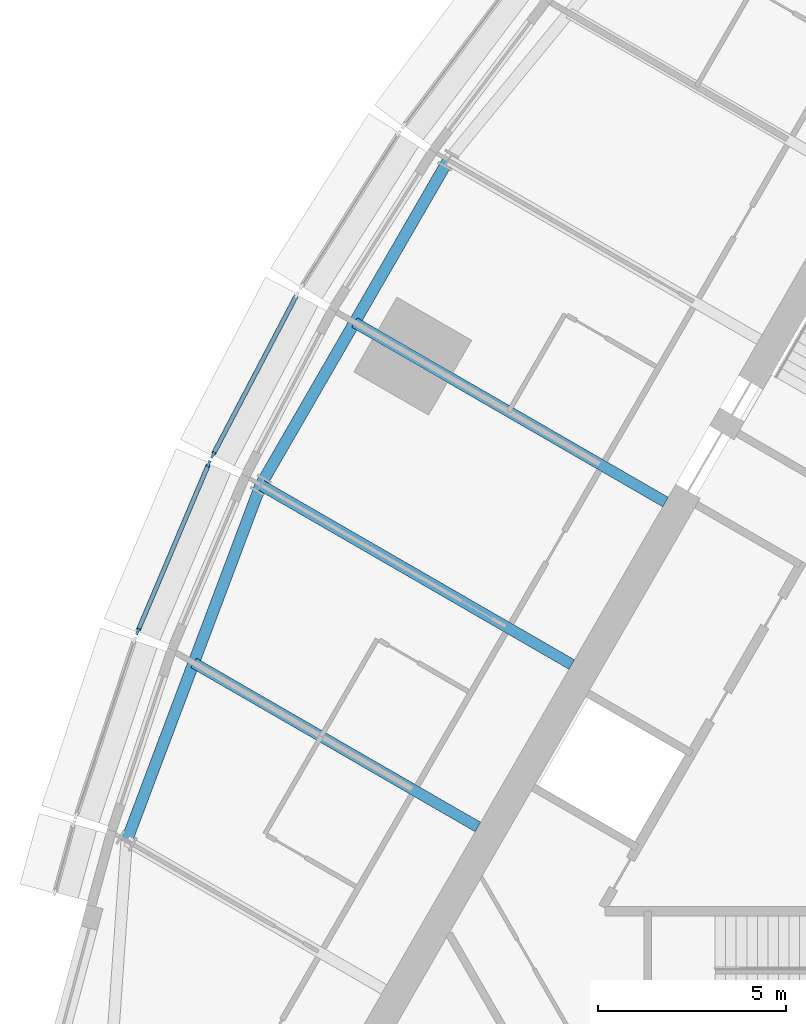
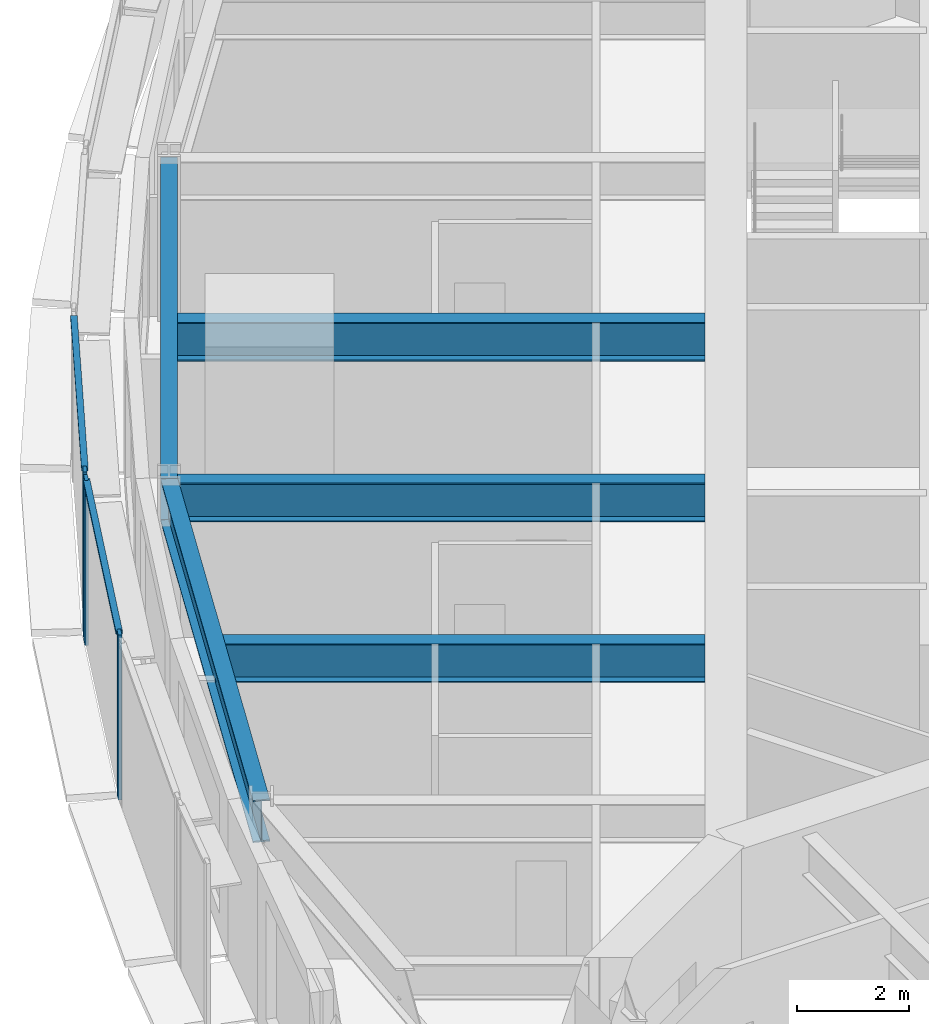
# One storey, part 3 of 15: 5 beams, 5 members, 2 elements without a shape of their own.
"""IFC4 building model written with IfcOpenShell, lengths in metres."""

import ifcopenshell
import ifcopenshell.guid

model = None  # the IFC model being written
_history = None  # IfcOwnerHistory: only IFC2X3 demands one
_inside = {}  # id of a spatial element -> (the spatial element, [elements in it])
_under = {}  # id of a project, library or spatial element -> (it, [spatial elements below it])
_declared = {}  # id of a project -> (the project, [libraries it declares])
_typed = {}  # id of a type object -> (the type object, [elements of that type])
_made_of = {}  # id of a material, layer set ... -> (it, [elements and type objects made of it])


def new_model(schema):
    """Start an empty IFC model of exactly this schema.

    Asked for "IFC4X3", IfcOpenShell would pick the latest addendum, in which some entities
    have other attributes; the version numbers below select the first issue.
    IFC2X3 requires an IfcOwnerHistory on every rooted entity: one is made here for all.
    """
    global model, _history
    if schema == "IFC4X3":
        model = ifcopenshell.file(schema_version=(4, 3, 0, 0))
    else:
        model = ifcopenshell.file(schema=schema)
    _inside.clear()
    _under.clear()
    _declared.clear()
    _typed.clear()
    _made_of.clear()
    _history = None
    if model.schema == "IFC2X3":
        org = make("IfcOrganization", Name="unknown")
        user = make(
            "IfcPersonAndOrganization",
            ThePerson=make("IfcPerson", FamilyName="unknown"),
            TheOrganization=org,
        )
        app = make(
            "IfcApplication",
            ApplicationDeveloper=org,
            Version="unknown",
            ApplicationFullName="unknown",
            ApplicationIdentifier="unknown",
        )
        _history = make(
            "IfcOwnerHistory",
            OwningUser=user,
            OwningApplication=app,
            ChangeAction="ADDED",
            CreationDate=0,
        )
    return model


def make(cls, **values):
    """One entity of the class cls with the attributes given. An attribute that is None is left unset."""
    return model.create_entity(
        cls, **{name: value for name, value in values.items() if value is not None}
    )


def rooted(cls, **values):
    """An entity with a GlobalId (a new one), such as an element, a storey or a relation."""
    return make(cls, GlobalId=ifcopenshell.guid.new(), OwnerHistory=_history, **values)


def si_unit(unit_type, name, prefix=None):
    """IfcSIUnit, for example si_unit("LENGTHUNIT", "METRE", prefix="MILLI")."""
    return make("IfcSIUnit", UnitType=unit_type, Prefix=prefix, Name=name)


def assignment(units):
    """IfcUnitAssignment: the units of a project."""
    return None if units is None else make("IfcUnitAssignment", Units=units)


def point(xyz):
    """IfcCartesianPoint."""
    return None if xyz is None else make("IfcCartesianPoint", Coordinates=xyz)


def direction(xyz):
    """IfcDirection."""
    return None if xyz is None else make("IfcDirection", DirectionRatios=xyz)


def frame(location, z_axis=None, x_axis=None):
    """IfcAxis2Placement3D, a coordinate frame: its origin and axes. An axis left out is left unset."""
    return make(
        "IfcAxis2Placement3D",
        Location=point(location),
        Axis=direction(z_axis),
        RefDirection=direction(x_axis),
    )


def frame_2d(location, x_axis=None):
    """IfcAxis2Placement2D, a coordinate frame in the plane: its origin and x axis."""
    return make(
        "IfcAxis2Placement2D", Location=point(location), RefDirection=direction(x_axis)
    )


def origin():
    """The frame at (0, 0, 0) with its axes left unset."""
    return frame((0.0, 0.0, 0.0))


def origin_2d():
    """The frame at (0, 0) in the plane with its x axis left unset."""
    return frame_2d((0.0, 0.0))


def place(relative_to, where):
    """IfcLocalPlacement: puts the frame where relative to a parent placement (None: the world)."""
    return make(
        "IfcLocalPlacement", PlacementRelTo=relative_to, RelativePlacement=where
    )


def context(
    kind, dimensions, precision=None, world=None, true_north=None, identifier=None
):
    """IfcGeometricRepresentationContext, for example the 3D "Model" context."""
    return make(
        "IfcGeometricRepresentationContext",
        ContextIdentifier=identifier,
        ContextType=kind,
        CoordinateSpaceDimension=dimensions,
        Precision=precision,
        WorldCoordinateSystem=world,
        TrueNorth=true_north,
    )


def subcontext(parent, identifier, kind, view, scale=None):
    """IfcGeometricRepresentationSubContext, for example "Body" below "Model"."""
    return make(
        "IfcGeometricRepresentationSubContext",
        ContextIdentifier=identifier,
        ContextType=kind,
        ParentContext=parent,
        TargetScale=scale,
        TargetView=view,
    )


def project(units=None, contexts=None):
    """IfcProject with its units and contexts."""
    return rooted(
        "IfcProject",
        Name="project",
        RepresentationContexts=contexts,
        UnitsInContext=assignment(units),
    )


def spatial(cls, under=None, at=None, **own):
    """A site, building, storey or space (cls), placed at a placement, below another one or the project."""
    s = rooted(cls, ObjectPlacement=at, **own)
    if under is not None:
        _under.setdefault(under.id(), (under, []))[1].append(s)
    return s


def profile(cls, at=None, kind="AREA", **sizes):
    """A parametric profile (cls). Its sizes go by their IFC names, for example OverallWidth=200.0."""
    return make(cls, ProfileType=kind, Position=at, **sizes)


def rectangle(**sizes):
    """IfcRectangleProfileDef."""
    return profile("IfcRectangleProfileDef", **sizes)


def i_section(**sizes):
    """IfcIShapeProfileDef."""
    return profile("IfcIShapeProfileDef", **sizes)


def extrude(swept, where, along, depth):
    """IfcExtrudedAreaSolid: the profile swept, set in the frame where, extruded along a direction by depth."""
    return make(
        "IfcExtrudedAreaSolid",
        SweptArea=swept,
        Position=where,
        ExtrudedDirection=direction(along),
        Depth=depth,
    )


def shape(context_of_items, identifier, shape_type, items):
    """IfcShapeRepresentation: the items that make up one representation, for example the "Body"."""
    return make(
        "IfcShapeRepresentation",
        ContextOfItems=context_of_items,
        RepresentationIdentifier=identifier,
        RepresentationType=shape_type,
        Items=items,
    )


def material(Name=None, Category=None):
    """IfcMaterial."""
    return make("IfcMaterial", Name=Name, Category=Category)


def material_profile(
    of_material, cross_section, Name=None, Category=None, Priority=None
):
    """IfcMaterialProfile: a cross section and its material."""
    return make(
        "IfcMaterialProfile",
        Name=Name,
        Material=of_material,
        Profile=cross_section,
        Priority=Priority,
        Category=Category,
    )


def profile_set(profiles, Name=None, composite=None):
    """IfcMaterialProfileSet."""
    return make(
        "IfcMaterialProfileSet",
        Name=Name,
        MaterialProfiles=profiles,
        CompositeProfile=composite,
    )


def made_of(thing, what):
    """Note that an element or type object is made of a material, layer set ...; save() writes the relation."""
    if what is not None:
        _made_of.setdefault(what.id(), (what, []))[1].append(thing)
    return thing


def type_object(cls, material=None, **own):
    """A type object (cls), such as IfcWallType, which elements share."""
    return made_of(rooted(cls, **own), material)


def element(
    cls,
    number,
    at=None,
    inside=None,
    cuts=None,
    type_object=None,
    material=None,
    context=None,
    identifier="Body",
    shape_type=None,
    held_by="IfcProductDefinitionShape",
    body=None,
    shapes=None,
    **own,
):
    """One element of the class cls, such as IfcWall. Its Tag is "e" and its number.

    at: its placement. inside: the storey or other place that contains it. cuts: it is an
    opening in that element (IfcRelVoidsElement). A single representation is given by context,
    identifier, shape_type and body (its items); several are given by shapes. held_by: the class
    of the entity that holds the representations. save() writes the other relations.
    """
    e = rooted(cls, Tag="e%d" % number, ObjectPlacement=at, **own)
    if body is not None:
        shapes = [shape(context, identifier, shape_type, body)]
    if shapes is not None:
        e.Representation = make(held_by, Representations=shapes)
    if inside is not None:
        _inside.setdefault(inside.id(), (inside, []))[1].append(e)
    if cuts is not None:
        rooted(
            "IfcRelVoidsElement", RelatingBuildingElement=cuts, RelatedOpeningElement=e
        )
    if type_object is not None:
        _typed.setdefault(type_object.id(), (type_object, []))[1].append(e)
    return made_of(e, material)


def aggregate(whole, parts):
    """IfcRelAggregates: a whole, such as a stair, and the parts it consists of."""
    return rooted("IfcRelAggregates", RelatingObject=whole, RelatedObjects=parts)


def save(model, path):
    """Write the relations noted so far, then the file.

    IfcRelAggregates (storeys below a building ...), IfcRelContainedInSpatialStructure (elements
    in a storey), IfcRelDefinesByType, IfcRelAssociatesMaterial and IfcRelDeclares: one each for
    every whole, place, type object, material and project.
    """
    for whole, parts in _under.values():
        aggregate(whole, parts)
    for where, things in _inside.values():
        rooted(
            "IfcRelContainedInSpatialStructure",
            RelatedElements=things,
            RelatingStructure=where,
        )
    for kind, things in _typed.values():
        rooted("IfcRelDefinesByType", RelatedObjects=things, RelatingType=kind)
    for what, things in _made_of.values():
        rooted("IfcRelAssociatesMaterial", RelatedObjects=things, RelatingMaterial=what)
    for by, libraries in _declared.values():
        rooted("IfcRelDeclares", RelatingContext=by, RelatedDefinitions=libraries)
    model.write(path)


model = new_model("IFC4")

# Units and contexts
model_context = context("Model", 3, precision=1e-05, world=origin(), true_north=direction((0.0, 1.0)))
body_context = subcontext(model_context, "Body", "Model", "MODEL_VIEW")
ifc_project = project(units=[si_unit("LENGTHUNIT", "METRE"), si_unit("AREAUNIT", "SQUARE_METRE"), si_unit("VOLUMEUNIT", "CUBIC_METRE"), si_unit("PLANEANGLEUNIT", "RADIAN"), si_unit("MASSUNIT", "GRAM", prefix="KILO")], contexts=[model_context])

# Site, building, storey
site_placement = place(None, origin())
site = spatial("IfcSite", under=ifc_project, at=site_placement, CompositionType="ELEMENT")
building_placement = place(site_placement, origin())
building = spatial("IfcBuilding", under=site, at=building_placement, Name="Trikona Tower", CompositionType="ELEMENT")
storey_placement = place(building_placement, frame((0.0, 0.0, 222.5)))
storey = spatial("IfcBuildingStorey", under=building, at=storey_placement, Name="L59", CompositionType="ELEMENT", Elevation=222.5)

# Curtain wall, member
ifc_material_1 = material(Name="Aluminium curtain wall system", Category="aluminium")
curtain_wall_type = type_object("IfcCurtainWallType", Name="Curtain wall DS3", PredefinedType="NOTDEFINED", material=ifc_material_1)
curtain_wall_1_placement = place(storey_placement, origin())
curtain_wall_1 = element("IfcCurtainWall", 1, at=curtain_wall_1_placement, inside=storey, type_object=curtain_wall_type, Name="Curtain wall DS3 L59", PredefinedType="NOTDEFINED")
ifc_material_2 = material(Name="Aluminium mullion, pale anodised", Category="aluminium")
ifc_material_profile_1 = material_profile(ifc_material_2, rectangle(XDim=0.070068359375, YDim=0.179931640625, at=origin_2d()), Name="MUL-DS3")
ifc_profile_set_1 = profile_set([ifc_material_profile_1], Name="Aluminium mullion, pale anodised")
member_type_1 = type_object("IfcMemberType", Name="Mullion DS3 70x180", PredefinedType="MULLION", material=ifc_profile_set_1)
member_1_placement = place(storey_placement, frame((-20.635986328125, 6.20751953125, 0.0), z_axis=(0.0, 0.0, 1.0), x_axis=(0.885862390527, -0.463948084434, 0.0)))
member_1 = element("IfcMember", 2, at=member_1_placement, type_object=member_type_1, Name="CW-DS3 mullion 2", PredefinedType="MULLION", context=body_context, shape_type="SweptSolid", body=[
    extrude(rectangle(XDim=0.070068359375, YDim=0.179931640625, at=origin_2d()), origin(), (0.0, 0.0, 1.0), 3.60009765625),
])

# Curtain wall, members
curtain_wall_2_placement = place(storey_placement, origin())
curtain_wall_2 = element("IfcCurtainWall", 3, at=curtain_wall_2_placement, inside=storey, type_object=curtain_wall_type, Name="Curtain wall DS3 L59", PredefinedType="NOTDEFINED")
member_2_placement = place(storey_placement, frame((-20.74853515625, 5.969482421875, 0.0), z_axis=(0.0, 0.0, 1.0), x_axis=(0.920792322808, -0.390053199266, 0.0)))
member_2 = element("IfcMember", 4, at=member_2_placement, type_object=member_type_1, Name="CW-DS3 mullion 1", PredefinedType="MULLION", context=body_context, shape_type="SweptSolid", body=[
    extrude(rectangle(XDim=0.070068359375, YDim=0.179931640625, at=origin_2d()), origin(), (0.0, 0.0, 1.0), 3.60009765625),
])
member_3_placement = place(storey_placement, frame((-22.6396484375, 1.50537109375, 0.0), z_axis=(0.0, 0.0, 1.0), x_axis=(0.920792322808, -0.390053199266, 0.0)))
member_3 = element("IfcMember", 5, at=member_3_placement, type_object=member_type_1, Name="CW-DS3 mullion 2", PredefinedType="MULLION", context=body_context, shape_type="SweptSolid", body=[
    extrude(rectangle(XDim=0.070068359375, YDim=0.179931640625, at=origin_2d()), origin(), (0.0, 0.0, 1.0), 3.60009765625),
])

# Beams
ifc_material_3 = material(Name="Steel ASTM A992 Grade 50", Category="steel")
ifc_material_profile_2 = material_profile(ifc_material_3, i_section(OverallWidth=0.2919921875, OverallDepth=0.845703125, WebThickness=0.015380859375, FlangeThickness=0.0244140625, at=origin_2d()), Name="W33X141")
ifc_profile_set_2 = profile_set([ifc_material_profile_2], Name="Steel ASTM A992 Grade 50")
beam_type_1 = type_object("IfcBeamType", Name="Steel beam W33x141 (radial typ)", PredefinedType="BEAM", material=ifc_profile_set_2)
for number, where, z_axis, x_axis, name in (
    (6, (-8.57470703125, 4.95068359375, 3.01220703125), (-0.866025863714, 0.499999203377, 0.0), (-0.499999203377, -0.866025863714, 0.0), "Floor beam L60 F3 u0"),
    (7, (-11.07470703125, 0.62060546875, 3.01220703125), (-0.866025863714, 0.499999203377, 0.0), (-0.499999203377, -0.866025863714, 0.0), "Floor beam L60 F3 u5"),
):
    element("IfcBeam", number, at=place(storey_placement, frame(where, z_axis=z_axis, x_axis=x_axis)), inside=storey, type_object=beam_type_1, Name=name, PredefinedType="BEAM", context=body_context, shape_type="SweptSolid", body=[
        extrude(i_section(OverallWidth=0.2919921875, OverallDepth=0.845703125, WebThickness=0.015380859375, FlangeThickness=0.0244140625, at=origin_2d()), origin(), (0.0, 0.0, 1.0), 9.57080078125),
    ])
beam_1_placement = place(storey_placement, frame((-13.57470703125, -3.709716796875, 3.01220703125), z_axis=(-0.866013609749, 0.500020427312, 0.0), x_axis=(-0.500020427312, -0.866013609749, 0.0)))
element("IfcBeam", 8, at=beam_1_placement, inside=storey, type_object=beam_type_1, Name="Floor beam L60 F3 u10", PredefinedType="BEAM", context=body_context, shape_type="SweptSolid", body=[
    extrude(i_section(OverallWidth=0.2919921875, OverallDepth=0.845703125, WebThickness=0.015380859375, FlangeThickness=0.0244140625, at=origin_2d()), origin(), (0.0, 0.0, 1.0), 8.747314453125),
])
ifc_material_4 = material(Name="Steel ASTM A992 Grade 50", Category="steel")
ifc_material_profile_3 = material_profile(ifc_material_4, i_section(OverallWidth=0.307373046875, OverallDepth=0.922119140625, WebThickness=0.018310546875, FlangeThickness=0.030029296875, at=origin_2d()), Name="W36X182")
ifc_profile_set_3 = profile_set([ifc_material_profile_3], Name="Steel ASTM A992 Grade 50")
beam_type_2 = type_object("IfcBeamType", Name="Steel beam W36x182 (spandrel mid)", PredefinedType="SPANDREL", material=ifc_profile_set_3)
beam_2_placement = place(storey_placement, frame((-14.36328125, 14.066162109375, 2.97412109375), z_axis=(-0.500004234368, -0.866022959057, 0.0), x_axis=(0.866022959057, -0.500004234368, 0.0)))
element("IfcBeam", 9, at=beam_2_placement, inside=storey, type_object=beam_type_2, Name="Spandrel beam L60 F3-3", PredefinedType="SPANDREL", context=body_context, shape_type="SweptSolid", body=[
    extrude(i_section(OverallWidth=0.307373046875, OverallDepth=0.922119140625, WebThickness=0.018310546875, FlangeThickness=0.030029296875, at=origin_2d()), origin(), (0.0, 0.0, 1.0), 10.0),
])
beam_3_placement = place(storey_placement, frame((-19.36328125, 5.406005859375, 2.97412109375), z_axis=(-0.352596088442, -0.935775613283, 0.0), x_axis=(0.935775613283, -0.352596088442, 0.0)))
element("IfcBeam", 10, at=beam_3_placement, inside=storey, type_object=beam_type_2, Name="Spandrel beam L60 F3-4", PredefinedType="SPANDREL", context=body_context, shape_type="SweptSolid", body=[
    extrude(i_section(OverallWidth=0.307373046875, OverallDepth=0.922119140625, WebThickness=0.018310546875, FlangeThickness=0.030029296875, at=origin_2d()), origin(), (0.0, 0.0, 1.0), 10.134765625),
])

# Member
ifc_material_5 = material(Name="Aluminium transom, pale anodised", Category="aluminium")
ifc_material_profile_4 = material_profile(ifc_material_5, rectangle(XDim=0.1201171875, YDim=0.070068359375, at=origin_2d()), Name="TRN-DS3")
ifc_profile_set_4 = profile_set([ifc_material_profile_4], Name="Aluminium transom, pale anodised")
member_type_2 = type_object("IfcMemberType", Name="Transom DS3 70x120", PredefinedType="USERDEFINED", material=ifc_profile_set_4)
member_4_placement = place(storey_placement, frame((-18.418701171875, 10.44140625, 3.56494140625), z_axis=(-0.463910848027, -0.885881891158, 0.0), x_axis=(0.885881891158, -0.463910848027, 0.0)))
member_4 = element("IfcMember", 11, at=member_4_placement, type_object=member_type_2, Name="CW-DS3 transom 1.1", ObjectType="TRANSOM", PredefinedType="USERDEFINED", context=body_context, shape_type="SweptSolid", body=[
    extrude(rectangle(XDim=0.1201171875, YDim=0.070068359375, at=origin_2d()), origin(), (0.0, 0.0, 1.0), 4.744384765625),
])

aggregate(curtain_wall_1, [member_1, member_4])

member_5_placement = place(storey_placement, frame((-20.76220703125, 5.937255859375, 3.56494140625), z_axis=(-0.390061662668, -0.920788737614, 0.0), x_axis=(0.920788737614, -0.390061662668, 0.0)))
member_5 = element("IfcMember", 12, at=member_5_placement, type_object=member_type_2, Name="CW-DS3 transom 1.1", ObjectType="TRANSOM", PredefinedType="USERDEFINED", context=body_context, shape_type="SweptSolid", body=[
    extrude(rectangle(XDim=0.1201171875, YDim=0.070068359375, at=origin_2d()), origin(), (0.0, 0.0, 1.0), 4.778076171875),
])

aggregate(curtain_wall_2, [member_2, member_3, member_5])

save(model, "model.ifc")
